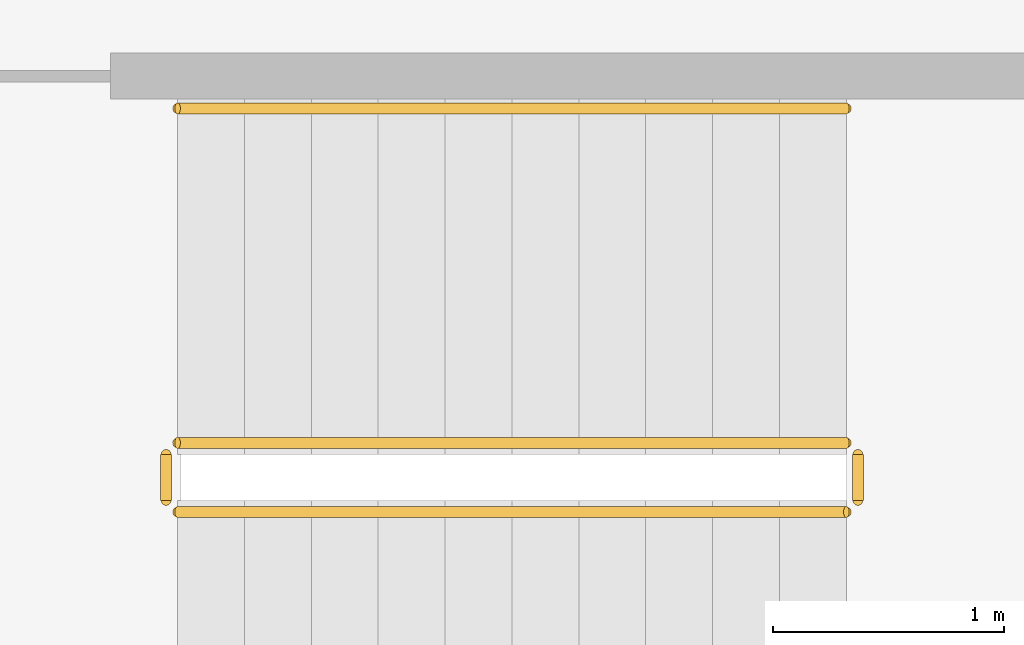
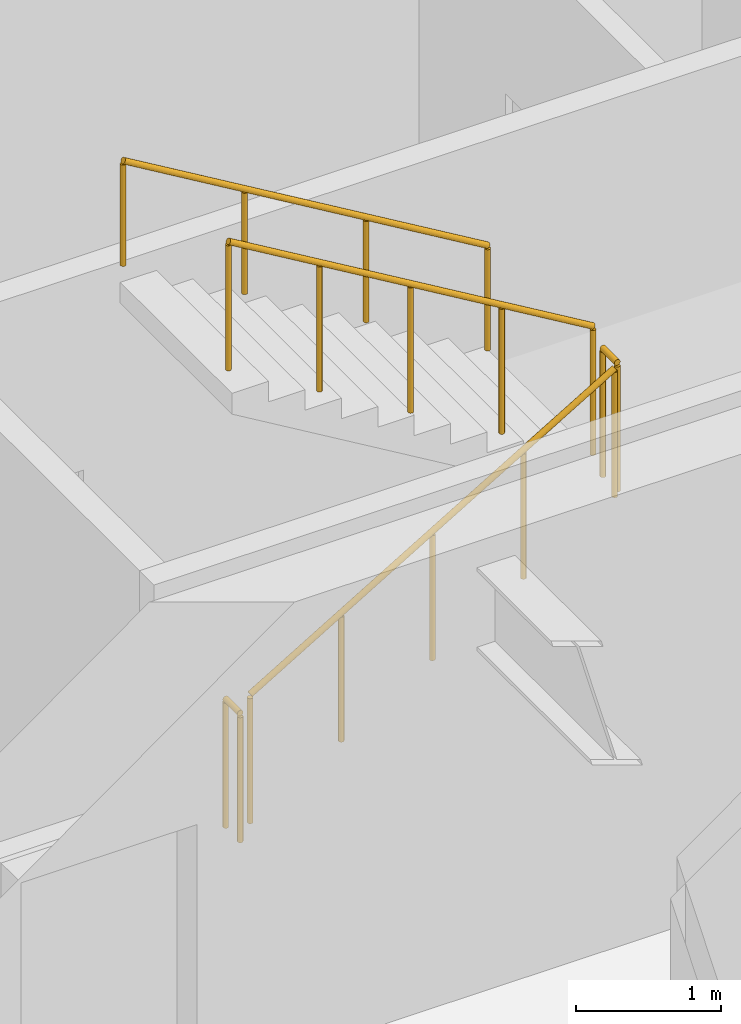
# One storey, part 22 of 23: 5 railings.
"""IFC4 building model written with IfcOpenShell, lengths in metres."""

from ifc_helpers import new_model, si_unit, direction, frame, origin, origin_2d, place, context, subcontext, project, spatial, circle, extrude, material, type_object, element, save


model = new_model("IFC4")

# Units and contexts
model_context = context("Model", 3, precision=1e-05, world=origin(), true_north=direction((0.0, 1.0)))
body_context = subcontext(model_context, "Body", "Model", "MODEL_VIEW")
ifc_project = project(units=[si_unit("LENGTHUNIT", "METRE"), si_unit("AREAUNIT", "SQUARE_METRE"), si_unit("VOLUMEUNIT", "CUBIC_METRE"), si_unit("PLANEANGLEUNIT", "RADIAN"), si_unit("MASSUNIT", "GRAM", prefix="KILO")], contexts=[model_context])

# Site, building, storey
site_placement = place(None, origin())
site = spatial("IfcSite", under=ifc_project, at=site_placement, CompositionType="ELEMENT")
building_placement = place(site_placement, origin())
building = spatial("IfcBuilding", under=site, at=building_placement, Name="Putna Gate Headquarters", CompositionType="ELEMENT")
storey_placement = place(building_placement, frame((0.0, 0.0, 229.0)))
storey = spatial("IfcBuildingStorey", under=building, at=storey_placement, Name="L57", CompositionType="ELEMENT", Elevation=229.0)

# Railings
ifc_material_1 = material(Name="Powder-coated steel stair guardrail", Category="steel")
railing_type_1 = type_object("IfcRailingType", Name="RAIL-STAIR-GUARD-1100", PredefinedType="GUARDRAIL", material=ifc_material_1)
railing_1_placement = place(storey_placement, frame((57.89990234375, 21.10009765625, 0.172607421875)))
element("IfcRailing", 1, at=railing_1_placement, inside=storey, type_object=railing_type_1, Name="L57 ST2 stair guard 1", PredefinedType="GUARDRAIL", context=body_context, shape_type="SweptSolid", body=[
    extrude(circle(Radius=0.02392578125, at=origin_2d()), frame((0.0, 0.0, 1.076171875), z_axis=(0.859160404282, 0.0, 0.51170636083), x_axis=(0.0, 1.0, 0.0)), (0.0, 0.0, 1.0), 3.37548828125),
    extrude(circle(Radius=0.02099609375, at=origin_2d()), origin(), (0.0, 0.0, 1.0), 1.052001953125),
    extrude(circle(Radius=0.02099609375, at=origin_2d()), frame((0.72509765625, 0.0, 0.431884765625)), (0.0, 0.0, 1.0), 1.052001953125),
    extrude(circle(Radius=0.02099609375, at=origin_2d()), frame((1.4501953125, 0.0, 0.86376953125)), (0.0, 0.0, 1.0), 1.052001953125),
    extrude(circle(Radius=0.02099609375, at=origin_2d()), frame((2.175048828125, 0.0, 1.29541015625)), (0.0, 0.0, 1.0), 1.052001953125),
    extrude(circle(Radius=0.02099609375, at=origin_2d()), frame((2.900146484375, 0.0, 1.727294921875)), (0.0, 0.0, 1.0), 1.052001953125),
])
railing_2_placement = place(storey_placement, frame((60.85009765625, 21.14990234375, 1.89990234375)))
element("IfcRailing", 2, at=railing_2_placement, inside=storey, type_object=railing_type_1, Name="L57 ST2 stair guard 2", PredefinedType="GUARDRAIL", context=body_context, shape_type="SweptSolid", body=[
    extrude(circle(Radius=0.02392578125, at=origin_2d()), frame((0.0, 0.0, 1.076171875), z_axis=(0.0, 1.0, 0.0), x_axis=(-1.0, 0.0, 0.0)), (0.0, 0.0, 1.0), 0.2001953125),
    extrude(circle(Radius=0.02099609375, at=origin_2d()), origin(), (0.0, 0.0, 1.0), 1.052001953125),
    extrude(circle(Radius=0.02099609375, at=origin_2d()), frame((0.0, 0.2001953125, 0.0)), (0.0, 0.0, 1.0), 1.052001953125),
])
railing_3_placement = place(storey_placement, frame((60.800048828125, 21.39990234375, 2.07275390625)))
element("IfcRailing", 3, at=railing_3_placement, inside=storey, type_object=railing_type_1, Name="L57 ST2 stair guard 3", PredefinedType="GUARDRAIL", context=body_context, shape_type="SweptSolid", body=[
    extrude(circle(Radius=0.02392578125, at=origin_2d()), frame((0.0, 0.0, 1.076171875), z_axis=(-0.859160404282, 0.0, 0.51170636083), x_axis=(0.0, -1.0, 0.0)), (0.0, 0.0, 1.0), 3.37548828125),
    extrude(circle(Radius=0.02099609375, at=origin_2d()), origin(), (0.0, 0.0, 1.0), 1.052001953125),
    extrude(circle(Radius=0.02099609375, at=origin_2d()), frame((-0.72509765625, 0.0, 0.431884765625)), (0.0, 0.0, 1.0), 1.052001953125),
    extrude(circle(Radius=0.02099609375, at=origin_2d()), frame((-1.4501953125, 0.0, 0.86376953125)), (0.0, 0.0, 1.0), 1.052001953125),
    extrude(circle(Radius=0.02099609375, at=origin_2d()), frame((-2.175048828125, 0.0, 1.29541015625)), (0.0, 0.0, 1.0), 1.052001953125),
    extrude(circle(Radius=0.02099609375, at=origin_2d()), frame((-2.900146484375, 0.0, 1.727294921875)), (0.0, 0.0, 1.0), 1.052001953125),
])
railing_4_placement = place(storey_placement, frame((57.85009765625, 21.14990234375, 0.0)))
element("IfcRailing", 4, at=railing_4_placement, inside=storey, type_object=railing_type_1, Name="L57 ST2 stair guard 4", PredefinedType="GUARDRAIL", context=body_context, shape_type="SweptSolid", body=[
    extrude(circle(Radius=0.02392578125, at=origin_2d()), frame((0.0, 0.0, 1.076171875), z_axis=(0.0, 1.0, 0.0), x_axis=(-1.0, 0.0, 0.0)), (0.0, 0.0, 1.0), 0.2001953125),
    extrude(circle(Radius=0.02099609375, at=origin_2d()), origin(), (0.0, 0.0, 1.0), 1.052001953125),
    extrude(circle(Radius=0.02099609375, at=origin_2d()), frame((0.0, 0.2001953125, 0.0)), (0.0, 0.0, 1.0), 1.052001953125),
])
ifc_material_2 = material(Name="Brushed stainless steel handrail", Category="steel")
railing_type_2 = type_object("IfcRailingType", Name="RAIL-STAIR-HAND-900", PredefinedType="HANDRAIL", material=ifc_material_2)
railing_5_placement = place(storey_placement, frame((60.800048828125, 22.85009765625, 2.07275390625)))
element("IfcRailing", 5, at=railing_5_placement, inside=storey, type_object=railing_type_2, Name="L57 ST2 stair handrail 2", PredefinedType="HANDRAIL", context=body_context, shape_type="SweptSolid", body=[
    extrude(circle(Radius=0.02392578125, at=origin_2d()), frame((0.0, 0.0, 0.8759765625), z_axis=(-0.859160404282, 0.0, 0.51170636083), x_axis=(0.0, -1.0, 0.0)), (0.0, 0.0, 1.0), 3.37548828125),
    extrude(circle(Radius=0.02099609375, at=origin_2d()), origin(), (0.0, 0.0, 1.0), 0.851806640625),
    extrude(circle(Radius=0.02099609375, at=origin_2d()), frame((-0.966796875, 0.0, 0.57568359375)), (0.0, 0.0, 1.0), 0.851806640625),
    extrude(circle(Radius=0.02099609375, at=origin_2d()), frame((-1.933349609375, 0.0, 1.151611328125)), (0.0, 0.0, 1.0), 0.851806640625),
    extrude(circle(Radius=0.02099609375, at=origin_2d()), frame((-2.900146484375, 0.0, 1.727294921875)), (0.0, 0.0, 1.0), 0.851806640625),
])

save(model, "model.ifc")
